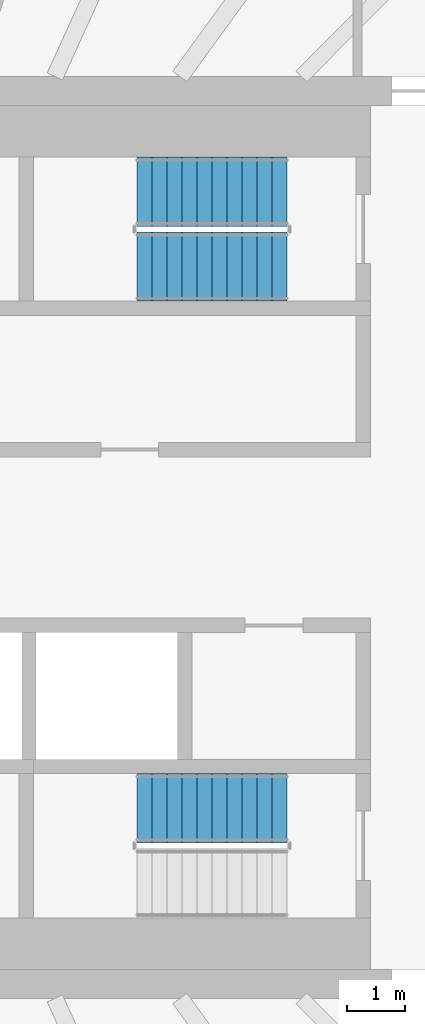
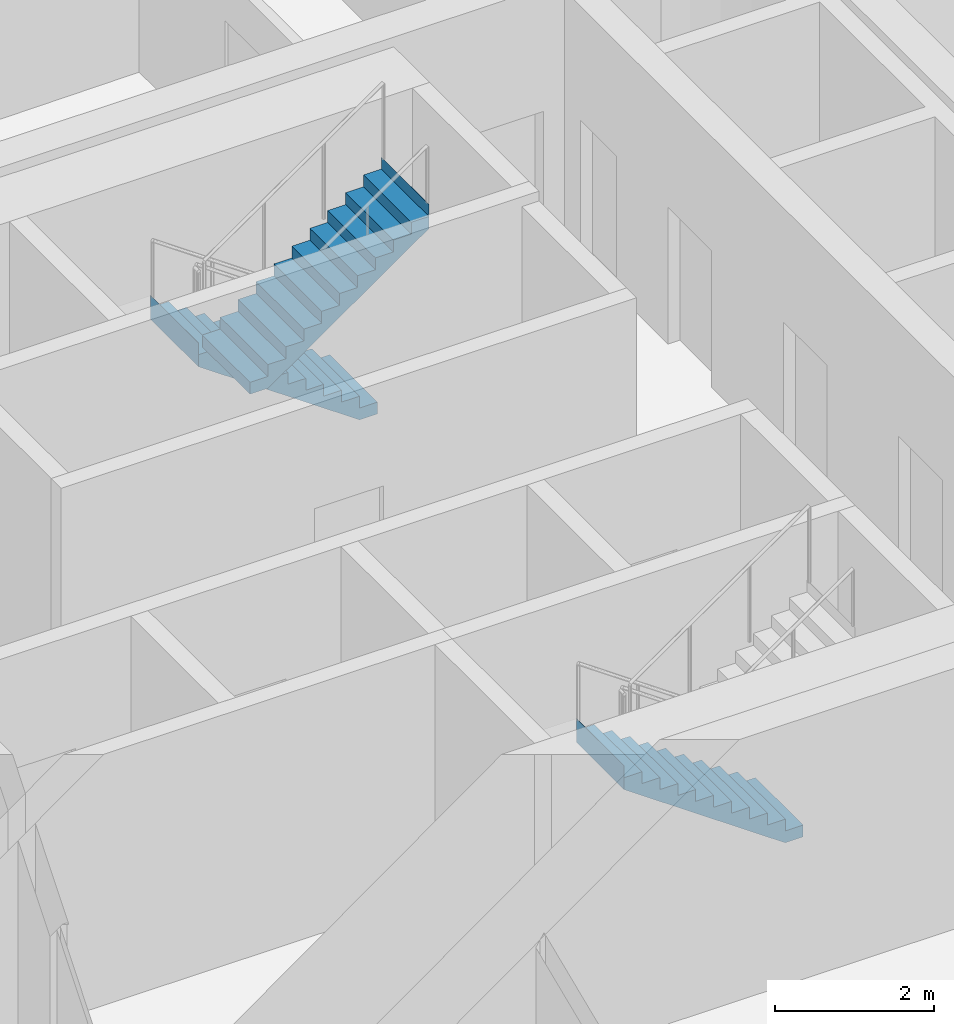
# One storey, part 16 of 22: 3 stair flights, 2 elements without a shape of their own.
"""IFC4 building model written with IfcOpenShell, lengths in metres."""

import ifcopenshell
import ifcopenshell.guid

model = None  # the IFC model being written
_history = None  # IfcOwnerHistory: only IFC2X3 demands one
_inside = {}  # id of a spatial element -> (the spatial element, [elements in it])
_under = {}  # id of a project, library or spatial element -> (it, [spatial elements below it])
_declared = {}  # id of a project -> (the project, [libraries it declares])
_typed = {}  # id of a type object -> (the type object, [elements of that type])
_made_of = {}  # id of a material, layer set ... -> (it, [elements and type objects made of it])


def new_model(schema):
    """Start an empty IFC model of exactly this schema.

    Asked for "IFC4X3", IfcOpenShell would pick the latest addendum, in which some entities
    have other attributes; the version numbers below select the first issue.
    IFC2X3 requires an IfcOwnerHistory on every rooted entity: one is made here for all.
    """
    global model, _history
    if schema == "IFC4X3":
        model = ifcopenshell.file(schema_version=(4, 3, 0, 0))
    else:
        model = ifcopenshell.file(schema=schema)
    _inside.clear()
    _under.clear()
    _declared.clear()
    _typed.clear()
    _made_of.clear()
    _history = None
    if model.schema == "IFC2X3":
        org = make("IfcOrganization", Name="unknown")
        user = make(
            "IfcPersonAndOrganization",
            ThePerson=make("IfcPerson", FamilyName="unknown"),
            TheOrganization=org,
        )
        app = make(
            "IfcApplication",
            ApplicationDeveloper=org,
            Version="unknown",
            ApplicationFullName="unknown",
            ApplicationIdentifier="unknown",
        )
        _history = make(
            "IfcOwnerHistory",
            OwningUser=user,
            OwningApplication=app,
            ChangeAction="ADDED",
            CreationDate=0,
        )
    return model


def make(cls, **values):
    """One entity of the class cls with the attributes given. An attribute that is None is left unset."""
    return model.create_entity(
        cls, **{name: value for name, value in values.items() if value is not None}
    )


def rooted(cls, **values):
    """An entity with a GlobalId (a new one), such as an element, a storey or a relation."""
    return make(cls, GlobalId=ifcopenshell.guid.new(), OwnerHistory=_history, **values)


def si_unit(unit_type, name, prefix=None):
    """IfcSIUnit, for example si_unit("LENGTHUNIT", "METRE", prefix="MILLI")."""
    return make("IfcSIUnit", UnitType=unit_type, Prefix=prefix, Name=name)


def assignment(units):
    """IfcUnitAssignment: the units of a project."""
    return None if units is None else make("IfcUnitAssignment", Units=units)


def point(xyz):
    """IfcCartesianPoint."""
    return None if xyz is None else make("IfcCartesianPoint", Coordinates=xyz)


def direction(xyz):
    """IfcDirection."""
    return None if xyz is None else make("IfcDirection", DirectionRatios=xyz)


def frame(location, z_axis=None, x_axis=None):
    """IfcAxis2Placement3D, a coordinate frame: its origin and axes. An axis left out is left unset."""
    return make(
        "IfcAxis2Placement3D",
        Location=point(location),
        Axis=direction(z_axis),
        RefDirection=direction(x_axis),
    )


def origin():
    """The frame at (0, 0, 0) with its axes left unset."""
    return frame((0.0, 0.0, 0.0))


def place(relative_to, where):
    """IfcLocalPlacement: puts the frame where relative to a parent placement (None: the world)."""
    return make(
        "IfcLocalPlacement", PlacementRelTo=relative_to, RelativePlacement=where
    )


def context(
    kind, dimensions, precision=None, world=None, true_north=None, identifier=None
):
    """IfcGeometricRepresentationContext, for example the 3D "Model" context."""
    return make(
        "IfcGeometricRepresentationContext",
        ContextIdentifier=identifier,
        ContextType=kind,
        CoordinateSpaceDimension=dimensions,
        Precision=precision,
        WorldCoordinateSystem=world,
        TrueNorth=true_north,
    )


def subcontext(parent, identifier, kind, view, scale=None):
    """IfcGeometricRepresentationSubContext, for example "Body" below "Model"."""
    return make(
        "IfcGeometricRepresentationSubContext",
        ContextIdentifier=identifier,
        ContextType=kind,
        ParentContext=parent,
        TargetScale=scale,
        TargetView=view,
    )


def project(units=None, contexts=None):
    """IfcProject with its units and contexts."""
    return rooted(
        "IfcProject",
        Name="project",
        RepresentationContexts=contexts,
        UnitsInContext=assignment(units),
    )


def spatial(cls, under=None, at=None, **own):
    """A site, building, storey or space (cls), placed at a placement, below another one or the project."""
    s = rooted(cls, ObjectPlacement=at, **own)
    if under is not None:
        _under.setdefault(under.id(), (under, []))[1].append(s)
    return s


def point_list(points):
    """IfcCartesianPointList2D or 3D."""
    cls = (
        "IfcCartesianPointList2D" if len(points[0]) == 2 else "IfcCartesianPointList3D"
    )
    return make(cls, CoordList=points)


def triangles(points, corners, closed=None, point_numbers=None):
    """IfcTriangulatedFaceSet: each triangle names its three corners, points numbered from 1."""
    return make(
        "IfcTriangulatedFaceSet",
        Coordinates=point_list(points),
        Closed=closed,
        CoordIndex=corners,
        PnIndex=point_numbers,
    )


def shape(context_of_items, identifier, shape_type, items):
    """IfcShapeRepresentation: the items that make up one representation, for example the "Body"."""
    return make(
        "IfcShapeRepresentation",
        ContextOfItems=context_of_items,
        RepresentationIdentifier=identifier,
        RepresentationType=shape_type,
        Items=items,
    )


def material(Name=None, Category=None):
    """IfcMaterial."""
    return make("IfcMaterial", Name=Name, Category=Category)


def made_of(thing, what):
    """Note that an element or type object is made of a material, layer set ...; save() writes the relation."""
    if what is not None:
        _made_of.setdefault(what.id(), (what, []))[1].append(thing)
    return thing


def type_object(cls, material=None, **own):
    """A type object (cls), such as IfcWallType, which elements share."""
    return made_of(rooted(cls, **own), material)


def element(
    cls,
    number,
    at=None,
    inside=None,
    cuts=None,
    type_object=None,
    material=None,
    context=None,
    identifier="Body",
    shape_type=None,
    held_by="IfcProductDefinitionShape",
    body=None,
    shapes=None,
    **own,
):
    """One element of the class cls, such as IfcWall. Its Tag is "e" and its number.

    at: its placement. inside: the storey or other place that contains it. cuts: it is an
    opening in that element (IfcRelVoidsElement). A single representation is given by context,
    identifier, shape_type and body (its items); several are given by shapes. held_by: the class
    of the entity that holds the representations. save() writes the other relations.
    """
    e = rooted(cls, Tag="e%d" % number, ObjectPlacement=at, **own)
    if body is not None:
        shapes = [shape(context, identifier, shape_type, body)]
    if shapes is not None:
        e.Representation = make(held_by, Representations=shapes)
    if inside is not None:
        _inside.setdefault(inside.id(), (inside, []))[1].append(e)
    if cuts is not None:
        rooted(
            "IfcRelVoidsElement", RelatingBuildingElement=cuts, RelatedOpeningElement=e
        )
    if type_object is not None:
        _typed.setdefault(type_object.id(), (type_object, []))[1].append(e)
    return made_of(e, material)


def aggregate(whole, parts):
    """IfcRelAggregates: a whole, such as a stair, and the parts it consists of."""
    return rooted("IfcRelAggregates", RelatingObject=whole, RelatedObjects=parts)


def save(model, path):
    """Write the relations noted so far, then the file.

    IfcRelAggregates (storeys below a building ...), IfcRelContainedInSpatialStructure (elements
    in a storey), IfcRelDefinesByType, IfcRelAssociatesMaterial and IfcRelDeclares: one each for
    every whole, place, type object, material and project.
    """
    for whole, parts in _under.values():
        aggregate(whole, parts)
    for where, things in _inside.values():
        rooted(
            "IfcRelContainedInSpatialStructure",
            RelatedElements=things,
            RelatingStructure=where,
        )
    for kind, things in _typed.values():
        rooted("IfcRelDefinesByType", RelatedObjects=things, RelatingType=kind)
    for what, things in _made_of.values():
        rooted("IfcRelAssociatesMaterial", RelatedObjects=things, RelatingMaterial=what)
    for by, libraries in _declared.values():
        rooted("IfcRelDeclares", RelatingContext=by, RelatedDefinitions=libraries)
    model.write(path)


model = new_model("IFC4")

# Units and contexts
model_context = context("Model", 3, precision=1e-05, world=origin(), true_north=direction((0.0, 1.0)))
body_context = subcontext(model_context, "Body", "Model", "MODEL_VIEW")
ifc_project = project(units=[si_unit("LENGTHUNIT", "METRE"), si_unit("AREAUNIT", "SQUARE_METRE"), si_unit("VOLUMEUNIT", "CUBIC_METRE"), si_unit("PLANEANGLEUNIT", "RADIAN"), si_unit("MASSUNIT", "GRAM", prefix="KILO")], contexts=[model_context])

# Site, building, storey
site_placement = place(None, origin())
site = spatial("IfcSite", under=ifc_project, at=site_placement, CompositionType="ELEMENT")
building_placement = place(site_placement, origin())
building = spatial("IfcBuilding", under=site, at=building_placement, Name="Sahrelin Media Tower", CompositionType="ELEMENT")
storey_placement = place(building_placement, frame((0.0, 0.0, 189.60009765625)))
storey = spatial("IfcBuildingStorey", under=building, at=storey_placement, Name="L40", CompositionType="ELEMENT", Elevation=189.60009765625)

# Stair, stair flights
ifc_material = material(Name="Concrete C40/50", Category="concrete")
stair_type = type_object("IfcStairType", Name="Exit stair 1200", PredefinedType="HALF_TURN_STAIR", material=ifc_material)
placement = place(storey_placement, origin())
stair_1 = element("IfcStair", 1, at=placement, inside=storey, type_object=stair_type, Name="L40 Exit stair ST3", PredefinedType="HALF_TURN_STAIR")
stair_flight_type = type_object("IfcStairFlightType", Name="Stair flight 1200", PredefinedType="STRAIGHT", material=ifc_material)
stair_flight_1_placement = place(storey_placement, frame((7.675048828125, 6.0, 0.0), z_axis=(0.0, 0.0, 1.0), x_axis=(-1.0, 0.0, 0.0)))
stair_flight_1 = element("IfcStairFlight", 2, at=stair_flight_1_placement, type_object=stair_flight_type, Name="ST3 flight 1", NumberOfRisers=11, NumberOfTreads=10, PredefinedType="STRAIGHT", RiserHeight=0.181818182, TreadLength=0.26, context=body_context, shape_type="Tessellation", body=[
    triangles([(0.261474609375, 0.60009765625, 0.0), (0.261474609375, 0.300048828125, 0.0), (0.261474609375, 0.0, 0.0), (0.261474609375, -0.300048828125, 0.0), (0.261474609375, -0.60009765625, 0.0), (2.60009765625, 0.60009765625, 1.63525390625), (2.60009765625, 0.300048828125, 1.63525390625), (2.60009765625, 0.0, 1.63525390625), (2.60009765625, -0.300048828125, 1.63525390625), (2.60009765625, -0.60009765625, 1.63525390625), (2.60009765625, 0.60009765625, 2.0), (2.60009765625, 0.300048828125, 2.0), (2.60009765625, 0.0, 2.0), (2.60009765625, -0.300048828125, 2.0), (2.60009765625, -0.60009765625, 2.0), (2.597900390625, 0.60009765625, 2.0), (2.597900390625, 0.300048828125, 2.0), (2.597900390625, 0.0, 2.0), (2.597900390625, -0.300048828125, 2.0), (2.597900390625, -0.60009765625, 2.0), (2.597900390625, 0.60009765625, 1.818115234375), (2.597900390625, 0.300048828125, 1.818115234375), (2.597900390625, 0.0, 1.818115234375), (2.597900390625, -0.300048828125, 1.818115234375), (2.597900390625, -0.60009765625, 1.818115234375), (2.340087890625, 0.60009765625, 1.818115234375), (2.340087890625, 0.300048828125, 1.818115234375), (2.340087890625, 0.0, 1.818115234375), (2.340087890625, -0.300048828125, 1.818115234375), (2.340087890625, -0.60009765625, 1.818115234375), (2.340087890625, 0.60009765625, 1.636474609375), (2.340087890625, 0.300048828125, 1.636474609375), (2.340087890625, 0.0, 1.636474609375), (2.340087890625, -0.300048828125, 1.636474609375), (2.340087890625, -0.60009765625, 1.636474609375), (2.080078125, 0.60009765625, 1.636474609375), (2.080078125, 0.300048828125, 1.636474609375), (2.080078125, 0.0, 1.636474609375), (2.080078125, -0.300048828125, 1.636474609375), (2.080078125, -0.60009765625, 1.636474609375), (2.080078125, 0.60009765625, 1.45458984375), (2.080078125, 0.300048828125, 1.45458984375), (2.080078125, 0.0, 1.45458984375), (2.080078125, -0.300048828125, 1.45458984375), (2.080078125, -0.60009765625, 1.45458984375), (1.820068359375, 0.60009765625, 1.45458984375), (1.820068359375, 0.300048828125, 1.45458984375), (1.820068359375, 0.0, 1.45458984375), (1.820068359375, -0.300048828125, 1.45458984375), (1.820068359375, -0.60009765625, 1.45458984375), (1.820068359375, 0.60009765625, 1.272705078125), (1.820068359375, 0.300048828125, 1.272705078125), (1.820068359375, 0.0, 1.272705078125), (1.820068359375, -0.300048828125, 1.272705078125), (1.820068359375, -0.60009765625, 1.272705078125), (1.56005859375, 0.60009765625, 1.272705078125), (1.56005859375, 0.300048828125, 1.272705078125), (1.56005859375, 0.0, 1.272705078125), (1.56005859375, -0.300048828125, 1.272705078125), (1.56005859375, -0.60009765625, 1.272705078125), (1.56005859375, 0.60009765625, 1.0908203125), (1.56005859375, 0.300048828125, 1.0908203125), (1.56005859375, 0.0, 1.0908203125), (1.56005859375, -0.300048828125, 1.0908203125), (1.56005859375, -0.60009765625, 1.0908203125), (1.300048828125, 0.60009765625, 1.0908203125), (1.300048828125, 0.300048828125, 1.0908203125), (1.300048828125, 0.0, 1.0908203125), (1.300048828125, -0.300048828125, 1.0908203125), (1.300048828125, -0.60009765625, 1.0908203125), (1.300048828125, 0.60009765625, 0.9091796875), (1.300048828125, 0.300048828125, 0.9091796875), (1.300048828125, 0.0, 0.9091796875), (1.300048828125, -0.300048828125, 0.9091796875), (1.300048828125, -0.60009765625, 0.9091796875), (1.0400390625, 0.60009765625, 0.9091796875), (1.0400390625, 0.300048828125, 0.9091796875), (1.0400390625, 0.0, 0.9091796875), (1.0400390625, -0.300048828125, 0.9091796875), (1.0400390625, -0.60009765625, 0.9091796875), (1.0400390625, 0.60009765625, 0.727294921875), (1.0400390625, 0.300048828125, 0.727294921875), (1.0400390625, 0.0, 0.727294921875), (1.0400390625, -0.300048828125, 0.727294921875), (1.0400390625, -0.60009765625, 0.727294921875), (0.780029296875, 0.60009765625, 0.727294921875), (0.780029296875, 0.300048828125, 0.727294921875), (0.780029296875, 0.0, 0.727294921875), (0.780029296875, -0.300048828125, 0.727294921875), (0.780029296875, -0.60009765625, 0.727294921875), (0.780029296875, 0.60009765625, 0.54541015625), (0.780029296875, 0.300048828125, 0.54541015625), (0.780029296875, 0.0, 0.54541015625), (0.780029296875, -0.300048828125, 0.54541015625), (0.780029296875, -0.60009765625, 0.54541015625), (0.52001953125, 0.60009765625, 0.54541015625), (0.52001953125, 0.300048828125, 0.54541015625), (0.52001953125, 0.0, 0.54541015625), (0.52001953125, -0.300048828125, 0.54541015625), (0.52001953125, -0.60009765625, 0.54541015625), (0.52001953125, 0.60009765625, 0.363525390625), (0.52001953125, 0.300048828125, 0.363525390625), (0.52001953125, 0.0, 0.363525390625), (0.52001953125, -0.300048828125, 0.363525390625), (0.52001953125, -0.60009765625, 0.363525390625), (0.260009765625, 0.60009765625, 0.363525390625), (0.260009765625, 0.300048828125, 0.363525390625), (0.260009765625, 0.0, 0.363525390625), (0.260009765625, -0.300048828125, 0.363525390625), (0.260009765625, -0.60009765625, 0.363525390625), (0.260009765625, 0.60009765625, 0.181884765625), (0.260009765625, 0.300048828125, 0.181884765625), (0.260009765625, 0.0, 0.181884765625), (0.260009765625, -0.300048828125, 0.181884765625), (0.260009765625, -0.60009765625, 0.181884765625), (0.0, 0.60009765625, 0.181884765625), (0.0, 0.300048828125, 0.181884765625), (0.0, 0.0, 0.181884765625), (0.0, -0.300048828125, 0.181884765625), (0.0, -0.60009765625, 0.181884765625), (0.0, 0.60009765625, 0.0), (0.0, 0.300048828125, 0.0), (0.0, 0.0, 0.0), (0.0, -0.300048828125, 0.0), (0.0, -0.60009765625, 0.0)], [[1, 6, 7], [1, 7, 2], [2, 7, 8], [2, 8, 3], [3, 8, 9], [3, 9, 4], [4, 9, 10], [4, 10, 5], [6, 11, 12], [6, 12, 7], [7, 12, 13], [7, 13, 8], [8, 13, 14], [8, 14, 9], [9, 14, 15], [9, 15, 10], [11, 16, 17], [11, 17, 12], [12, 17, 18], [12, 18, 13], [13, 18, 19], [13, 19, 14], [14, 19, 20], [14, 20, 15], [16, 21, 22], [16, 22, 17], [17, 22, 23], [17, 23, 18], [18, 23, 24], [18, 24, 19], [19, 24, 25], [19, 25, 20], [21, 26, 27], [21, 27, 22], [22, 27, 28], [22, 28, 23], [23, 28, 29], [23, 29, 24], [24, 29, 30], [24, 30, 25], [26, 31, 32], [26, 32, 27], [27, 32, 33], [27, 33, 28], [28, 33, 34], [28, 34, 29], [29, 34, 35], [29, 35, 30], [31, 36, 37], [31, 37, 32], [32, 37, 38], [32, 38, 33], [33, 38, 39], [33, 39, 34], [34, 39, 40], [34, 40, 35], [36, 41, 42], [36, 42, 37], [37, 42, 43], [37, 43, 38], [38, 43, 44], [38, 44, 39], [39, 44, 45], [39, 45, 40], [41, 46, 47], [41, 47, 42], [42, 47, 48], [42, 48, 43], [43, 48, 49], [43, 49, 44], [44, 49, 50], [44, 50, 45], [46, 51, 52], [46, 52, 47], [47, 52, 53], [47, 53, 48], [48, 53, 54], [48, 54, 49], [49, 54, 55], [49, 55, 50], [51, 56, 57], [51, 57, 52], [52, 57, 58], [52, 58, 53], [53, 58, 59], [53, 59, 54], [54, 59, 60], [54, 60, 55], [56, 61, 62], [56, 62, 57], [57, 62, 63], [57, 63, 58], [58, 63, 64], [58, 64, 59], [59, 64, 65], [59, 65, 60], [61, 66, 67], [61, 67, 62], [62, 67, 68], [62, 68, 63], [63, 68, 69], [63, 69, 64], [64, 69, 70], [64, 70, 65], [66, 71, 72], [66, 72, 67], [67, 72, 73], [67, 73, 68], [68, 73, 74], [68, 74, 69], [69, 74, 75], [69, 75, 70], [71, 76, 77], [71, 77, 72], [72, 77, 78], [72, 78, 73], [73, 78, 79], [73, 79, 74], [74, 79, 80], [74, 80, 75], [76, 81, 82], [76, 82, 77], [77, 82, 83], [77, 83, 78], [78, 83, 84], [78, 84, 79], [79, 84, 85], [79, 85, 80], [81, 86, 87], [81, 87, 82], [82, 87, 88], [82, 88, 83], [83, 88, 89], [83, 89, 84], [84, 89, 90], [84, 90, 85], [86, 91, 92], [86, 92, 87], [87, 92, 93], [87, 93, 88], [88, 93, 94], [88, 94, 89], [89, 94, 95], [89, 95, 90], [91, 96, 97], [91, 97, 92], [92, 97, 98], [92, 98, 93], [93, 98, 99], [93, 99, 94], [94, 99, 100], [94, 100, 95], [96, 101, 102], [96, 102, 97], [97, 102, 103], [97, 103, 98], [98, 103, 104], [98, 104, 99], [99, 104, 105], [99, 105, 100], [101, 106, 107], [101, 107, 102], [102, 107, 108], [102, 108, 103], [103, 108, 109], [103, 109, 104], [104, 109, 110], [104, 110, 105], [106, 111, 112], [106, 112, 107], [107, 112, 113], [107, 113, 108], [108, 113, 114], [108, 114, 109], [109, 114, 115], [109, 115, 110], [111, 116, 117], [111, 117, 112], [112, 117, 118], [112, 118, 113], [113, 118, 119], [113, 119, 114], [114, 119, 120], [114, 120, 115], [116, 121, 122], [116, 122, 117], [117, 122, 123], [117, 123, 118], [118, 123, 124], [118, 124, 119], [119, 124, 125], [119, 125, 120], [121, 1, 2], [121, 2, 122], [122, 2, 3], [122, 3, 123], [123, 3, 4], [123, 4, 124], [124, 4, 5], [124, 5, 125], [115, 120, 125], [111, 121, 116], [115, 105, 110], [111, 106, 101], [105, 95, 100], [101, 96, 91], [95, 85, 90], [91, 86, 81], [85, 75, 80], [81, 76, 71], [75, 65, 70], [71, 66, 61], [65, 55, 60], [61, 56, 51], [55, 45, 50], [51, 46, 41], [45, 35, 40], [41, 36, 31], [35, 25, 30], [31, 26, 21], [25, 15, 20], [21, 16, 11], [125, 5, 115], [121, 111, 1], [25, 10, 15], [21, 11, 6], [105, 115, 5], [101, 1, 111], [35, 10, 25], [31, 21, 6], [95, 105, 5], [91, 1, 101], [45, 10, 35], [41, 31, 6], [85, 95, 5], [81, 1, 91], [55, 10, 45], [51, 41, 6], [75, 85, 5], [71, 1, 81], [65, 10, 55], [61, 51, 6], [5, 10, 75], [1, 71, 6], [75, 10, 65], [71, 61, 6]], closed=True),
])
stair_flight_2_placement = place(storey_placement, frame((5.074951171875, 4.699951171875, 2.0), z_axis=(0.0, 0.0, 1.0), x_axis=(1.0, 0.0, 0.0)))
stair_flight_2 = element("IfcStairFlight", 3, at=stair_flight_2_placement, type_object=stair_flight_type, Name="ST3 flight 2", NumberOfRisers=11, NumberOfTreads=10, PredefinedType="STRAIGHT", RiserHeight=0.181818182, TreadLength=0.26, context=body_context, shape_type="Tessellation", body=[
    triangles([(0.261474609375, 0.60009765625, 0.0), (0.261474609375, 0.300048828125, 0.0), (0.261474609375, 0.0, 0.0), (0.261474609375, -0.300048828125, 0.0), (0.261474609375, -0.60009765625, 0.0), (2.60009765625, 0.60009765625, 1.63525390625), (2.60009765625, 0.300048828125, 1.63525390625), (2.60009765625, 0.0, 1.63525390625), (2.60009765625, -0.300048828125, 1.63525390625), (2.60009765625, -0.60009765625, 1.63525390625), (2.60009765625, 0.60009765625, 2.0), (2.60009765625, 0.300048828125, 2.0), (2.60009765625, 0.0, 2.0), (2.60009765625, -0.300048828125, 2.0), (2.60009765625, -0.60009765625, 2.0), (2.597900390625, 0.60009765625, 2.0), (2.597900390625, 0.300048828125, 2.0), (2.597900390625, 0.0, 2.0), (2.597900390625, -0.300048828125, 2.0), (2.597900390625, -0.60009765625, 2.0), (2.597900390625, 0.60009765625, 1.818115234375), (2.597900390625, 0.300048828125, 1.818115234375), (2.597900390625, 0.0, 1.818115234375), (2.597900390625, -0.300048828125, 1.818115234375), (2.597900390625, -0.60009765625, 1.818115234375), (2.340087890625, 0.60009765625, 1.818115234375), (2.340087890625, 0.300048828125, 1.818115234375), (2.340087890625, 0.0, 1.818115234375), (2.340087890625, -0.300048828125, 1.818115234375), (2.340087890625, -0.60009765625, 1.818115234375), (2.340087890625, 0.60009765625, 1.636474609375), (2.340087890625, 0.300048828125, 1.636474609375), (2.340087890625, 0.0, 1.636474609375), (2.340087890625, -0.300048828125, 1.636474609375), (2.340087890625, -0.60009765625, 1.636474609375), (2.080078125, 0.60009765625, 1.636474609375), (2.080078125, 0.300048828125, 1.636474609375), (2.080078125, 0.0, 1.636474609375), (2.080078125, -0.300048828125, 1.636474609375), (2.080078125, -0.60009765625, 1.636474609375), (2.080078125, 0.60009765625, 1.45458984375), (2.080078125, 0.300048828125, 1.45458984375), (2.080078125, 0.0, 1.45458984375), (2.080078125, -0.300048828125, 1.45458984375), (2.080078125, -0.60009765625, 1.45458984375), (1.820068359375, 0.60009765625, 1.45458984375), (1.820068359375, 0.300048828125, 1.45458984375), (1.820068359375, 0.0, 1.45458984375), (1.820068359375, -0.300048828125, 1.45458984375), (1.820068359375, -0.60009765625, 1.45458984375), (1.820068359375, 0.60009765625, 1.272705078125), (1.820068359375, 0.300048828125, 1.272705078125), (1.820068359375, 0.0, 1.272705078125), (1.820068359375, -0.300048828125, 1.272705078125), (1.820068359375, -0.60009765625, 1.272705078125), (1.56005859375, 0.60009765625, 1.272705078125), (1.56005859375, 0.300048828125, 1.272705078125), (1.56005859375, 0.0, 1.272705078125), (1.56005859375, -0.300048828125, 1.272705078125), (1.56005859375, -0.60009765625, 1.272705078125), (1.56005859375, 0.60009765625, 1.0908203125), (1.56005859375, 0.300048828125, 1.0908203125), (1.56005859375, 0.0, 1.0908203125), (1.56005859375, -0.300048828125, 1.0908203125), (1.56005859375, -0.60009765625, 1.0908203125), (1.300048828125, 0.60009765625, 1.0908203125), (1.300048828125, 0.300048828125, 1.0908203125), (1.300048828125, 0.0, 1.0908203125), (1.300048828125, -0.300048828125, 1.0908203125), (1.300048828125, -0.60009765625, 1.0908203125), (1.300048828125, 0.60009765625, 0.9091796875), (1.300048828125, 0.300048828125, 0.9091796875), (1.300048828125, 0.0, 0.9091796875), (1.300048828125, -0.300048828125, 0.9091796875), (1.300048828125, -0.60009765625, 0.9091796875), (1.0400390625, 0.60009765625, 0.9091796875), (1.0400390625, 0.300048828125, 0.9091796875), (1.0400390625, 0.0, 0.9091796875), (1.0400390625, -0.300048828125, 0.9091796875), (1.0400390625, -0.60009765625, 0.9091796875), (1.0400390625, 0.60009765625, 0.727294921875), (1.0400390625, 0.300048828125, 0.727294921875), (1.0400390625, 0.0, 0.727294921875), (1.0400390625, -0.300048828125, 0.727294921875), (1.0400390625, -0.60009765625, 0.727294921875), (0.780029296875, 0.60009765625, 0.727294921875), (0.780029296875, 0.300048828125, 0.727294921875), (0.780029296875, 0.0, 0.727294921875), (0.780029296875, -0.300048828125, 0.727294921875), (0.780029296875, -0.60009765625, 0.727294921875), (0.780029296875, 0.60009765625, 0.54541015625), (0.780029296875, 0.300048828125, 0.54541015625), (0.780029296875, 0.0, 0.54541015625), (0.780029296875, -0.300048828125, 0.54541015625), (0.780029296875, -0.60009765625, 0.54541015625), (0.52001953125, 0.60009765625, 0.54541015625), (0.52001953125, 0.300048828125, 0.54541015625), (0.52001953125, 0.0, 0.54541015625), (0.52001953125, -0.300048828125, 0.54541015625), (0.52001953125, -0.60009765625, 0.54541015625), (0.52001953125, 0.60009765625, 0.363525390625), (0.52001953125, 0.300048828125, 0.363525390625), (0.52001953125, 0.0, 0.363525390625), (0.52001953125, -0.300048828125, 0.363525390625), (0.52001953125, -0.60009765625, 0.363525390625), (0.260009765625, 0.60009765625, 0.363525390625), (0.260009765625, 0.300048828125, 0.363525390625), (0.260009765625, 0.0, 0.363525390625), (0.260009765625, -0.300048828125, 0.363525390625), (0.260009765625, -0.60009765625, 0.363525390625), (0.260009765625, 0.60009765625, 0.181884765625), (0.260009765625, 0.300048828125, 0.181884765625), (0.260009765625, 0.0, 0.181884765625), (0.260009765625, -0.300048828125, 0.181884765625), (0.260009765625, -0.60009765625, 0.181884765625), (0.0, 0.60009765625, 0.181884765625), (0.0, 0.300048828125, 0.181884765625), (0.0, 0.0, 0.181884765625), (0.0, -0.300048828125, 0.181884765625), (0.0, -0.60009765625, 0.181884765625), (0.0, 0.60009765625, 0.0), (0.0, 0.300048828125, 0.0), (0.0, 0.0, 0.0), (0.0, -0.300048828125, 0.0), (0.0, -0.60009765625, 0.0)], [[1, 6, 7], [1, 7, 2], [2, 7, 8], [2, 8, 3], [3, 8, 9], [3, 9, 4], [4, 9, 10], [4, 10, 5], [6, 11, 12], [6, 12, 7], [7, 12, 13], [7, 13, 8], [8, 13, 14], [8, 14, 9], [9, 14, 15], [9, 15, 10], [11, 16, 17], [11, 17, 12], [12, 17, 18], [12, 18, 13], [13, 18, 19], [13, 19, 14], [14, 19, 20], [14, 20, 15], [16, 21, 22], [16, 22, 17], [17, 22, 23], [17, 23, 18], [18, 23, 24], [18, 24, 19], [19, 24, 25], [19, 25, 20], [21, 26, 27], [21, 27, 22], [22, 27, 28], [22, 28, 23], [23, 28, 29], [23, 29, 24], [24, 29, 30], [24, 30, 25], [26, 31, 32], [26, 32, 27], [27, 32, 33], [27, 33, 28], [28, 33, 34], [28, 34, 29], [29, 34, 35], [29, 35, 30], [31, 36, 37], [31, 37, 32], [32, 37, 38], [32, 38, 33], [33, 38, 39], [33, 39, 34], [34, 39, 40], [34, 40, 35], [36, 41, 42], [36, 42, 37], [37, 42, 43], [37, 43, 38], [38, 43, 44], [38, 44, 39], [39, 44, 45], [39, 45, 40], [41, 46, 47], [41, 47, 42], [42, 47, 48], [42, 48, 43], [43, 48, 49], [43, 49, 44], [44, 49, 50], [44, 50, 45], [46, 51, 52], [46, 52, 47], [47, 52, 53], [47, 53, 48], [48, 53, 54], [48, 54, 49], [49, 54, 55], [49, 55, 50], [51, 56, 57], [51, 57, 52], [52, 57, 58], [52, 58, 53], [53, 58, 59], [53, 59, 54], [54, 59, 60], [54, 60, 55], [56, 61, 62], [56, 62, 57], [57, 62, 63], [57, 63, 58], [58, 63, 64], [58, 64, 59], [59, 64, 65], [59, 65, 60], [61, 66, 67], [61, 67, 62], [62, 67, 68], [62, 68, 63], [63, 68, 69], [63, 69, 64], [64, 69, 70], [64, 70, 65], [66, 71, 72], [66, 72, 67], [67, 72, 73], [67, 73, 68], [68, 73, 74], [68, 74, 69], [69, 74, 75], [69, 75, 70], [71, 76, 77], [71, 77, 72], [72, 77, 78], [72, 78, 73], [73, 78, 79], [73, 79, 74], [74, 79, 80], [74, 80, 75], [76, 81, 82], [76, 82, 77], [77, 82, 83], [77, 83, 78], [78, 83, 84], [78, 84, 79], [79, 84, 85], [79, 85, 80], [81, 86, 87], [81, 87, 82], [82, 87, 88], [82, 88, 83], [83, 88, 89], [83, 89, 84], [84, 89, 90], [84, 90, 85], [86, 91, 92], [86, 92, 87], [87, 92, 93], [87, 93, 88], [88, 93, 94], [88, 94, 89], [89, 94, 95], [89, 95, 90], [91, 96, 97], [91, 97, 92], [92, 97, 98], [92, 98, 93], [93, 98, 99], [93, 99, 94], [94, 99, 100], [94, 100, 95], [96, 101, 102], [96, 102, 97], [97, 102, 103], [97, 103, 98], [98, 103, 104], [98, 104, 99], [99, 104, 105], [99, 105, 100], [101, 106, 107], [101, 107, 102], [102, 107, 108], [102, 108, 103], [103, 108, 109], [103, 109, 104], [104, 109, 110], [104, 110, 105], [106, 111, 112], [106, 112, 107], [107, 112, 113], [107, 113, 108], [108, 113, 114], [108, 114, 109], [109, 114, 115], [109, 115, 110], [111, 116, 117], [111, 117, 112], [112, 117, 118], [112, 118, 113], [113, 118, 119], [113, 119, 114], [114, 119, 120], [114, 120, 115], [116, 121, 122], [116, 122, 117], [117, 122, 123], [117, 123, 118], [118, 123, 124], [118, 124, 119], [119, 124, 125], [119, 125, 120], [121, 1, 2], [121, 2, 122], [122, 2, 3], [122, 3, 123], [123, 3, 4], [123, 4, 124], [124, 4, 5], [124, 5, 125], [115, 120, 125], [111, 121, 116], [115, 105, 110], [111, 106, 101], [105, 95, 100], [101, 96, 91], [95, 85, 90], [91, 86, 81], [85, 75, 80], [81, 76, 71], [75, 65, 70], [71, 66, 61], [65, 55, 60], [61, 56, 51], [55, 45, 50], [51, 46, 41], [45, 35, 40], [41, 36, 31], [35, 25, 30], [31, 26, 21], [25, 15, 20], [21, 16, 11], [125, 5, 115], [121, 111, 1], [25, 10, 15], [21, 11, 6], [105, 115, 5], [101, 1, 111], [35, 10, 25], [31, 21, 6], [95, 105, 5], [91, 1, 101], [45, 10, 35], [41, 31, 6], [85, 95, 5], [81, 1, 91], [55, 10, 45], [51, 41, 6], [75, 85, 5], [71, 1, 81], [65, 10, 55], [61, 51, 6], [5, 10, 75], [1, 71, 6], [75, 10, 65], [71, 61, 6]], closed=True),
])
aggregate(stair_1, [stair_flight_1, stair_flight_2])

# Stair, stair flight
stair_2 = element("IfcStair", 4, at=placement, inside=storey, type_object=stair_type, Name="L40 Exit stair ST2", PredefinedType="HALF_TURN_STAIR")
stair_flight_3_placement = place(storey_placement, frame((7.675048828125, -4.699951171875, 0.0), z_axis=(0.0, 0.0, 1.0), x_axis=(-1.0, 0.0, 0.0)))
stair_flight_3 = element("IfcStairFlight", 5, at=stair_flight_3_placement, type_object=stair_flight_type, Name="ST2 flight 1", NumberOfRisers=11, NumberOfTreads=10, PredefinedType="STRAIGHT", RiserHeight=0.181818182, TreadLength=0.26, context=body_context, shape_type="Tessellation", body=[
    triangles([(0.261474609375, 0.60009765625, 0.0), (0.261474609375, 0.300048828125, 0.0), (0.261474609375, 0.0, 0.0), (0.261474609375, -0.300048828125, 0.0), (0.261474609375, -0.60009765625, 0.0), (2.60009765625, 0.60009765625, 1.63525390625), (2.60009765625, 0.300048828125, 1.63525390625), (2.60009765625, 0.0, 1.63525390625), (2.60009765625, -0.300048828125, 1.63525390625), (2.60009765625, -0.60009765625, 1.63525390625), (2.60009765625, 0.60009765625, 2.0), (2.60009765625, 0.300048828125, 2.0), (2.60009765625, 0.0, 2.0), (2.60009765625, -0.300048828125, 2.0), (2.60009765625, -0.60009765625, 2.0), (2.597900390625, 0.60009765625, 2.0), (2.597900390625, 0.300048828125, 2.0), (2.597900390625, 0.0, 2.0), (2.597900390625, -0.300048828125, 2.0), (2.597900390625, -0.60009765625, 2.0), (2.597900390625, 0.60009765625, 1.818115234375), (2.597900390625, 0.300048828125, 1.818115234375), (2.597900390625, 0.0, 1.818115234375), (2.597900390625, -0.300048828125, 1.818115234375), (2.597900390625, -0.60009765625, 1.818115234375), (2.340087890625, 0.60009765625, 1.818115234375), (2.340087890625, 0.300048828125, 1.818115234375), (2.340087890625, 0.0, 1.818115234375), (2.340087890625, -0.300048828125, 1.818115234375), (2.340087890625, -0.60009765625, 1.818115234375), (2.340087890625, 0.60009765625, 1.636474609375), (2.340087890625, 0.300048828125, 1.636474609375), (2.340087890625, 0.0, 1.636474609375), (2.340087890625, -0.300048828125, 1.636474609375), (2.340087890625, -0.60009765625, 1.636474609375), (2.080078125, 0.60009765625, 1.636474609375), (2.080078125, 0.300048828125, 1.636474609375), (2.080078125, 0.0, 1.636474609375), (2.080078125, -0.300048828125, 1.636474609375), (2.080078125, -0.60009765625, 1.636474609375), (2.080078125, 0.60009765625, 1.45458984375), (2.080078125, 0.300048828125, 1.45458984375), (2.080078125, 0.0, 1.45458984375), (2.080078125, -0.300048828125, 1.45458984375), (2.080078125, -0.60009765625, 1.45458984375), (1.820068359375, 0.60009765625, 1.45458984375), (1.820068359375, 0.300048828125, 1.45458984375), (1.820068359375, 0.0, 1.45458984375), (1.820068359375, -0.300048828125, 1.45458984375), (1.820068359375, -0.60009765625, 1.45458984375), (1.820068359375, 0.60009765625, 1.272705078125), (1.820068359375, 0.300048828125, 1.272705078125), (1.820068359375, 0.0, 1.272705078125), (1.820068359375, -0.300048828125, 1.272705078125), (1.820068359375, -0.60009765625, 1.272705078125), (1.56005859375, 0.60009765625, 1.272705078125), (1.56005859375, 0.300048828125, 1.272705078125), (1.56005859375, 0.0, 1.272705078125), (1.56005859375, -0.300048828125, 1.272705078125), (1.56005859375, -0.60009765625, 1.272705078125), (1.56005859375, 0.60009765625, 1.0908203125), (1.56005859375, 0.300048828125, 1.0908203125), (1.56005859375, 0.0, 1.0908203125), (1.56005859375, -0.300048828125, 1.0908203125), (1.56005859375, -0.60009765625, 1.0908203125), (1.300048828125, 0.60009765625, 1.0908203125), (1.300048828125, 0.300048828125, 1.0908203125), (1.300048828125, 0.0, 1.0908203125), (1.300048828125, -0.300048828125, 1.0908203125), (1.300048828125, -0.60009765625, 1.0908203125), (1.300048828125, 0.60009765625, 0.9091796875), (1.300048828125, 0.300048828125, 0.9091796875), (1.300048828125, 0.0, 0.9091796875), (1.300048828125, -0.300048828125, 0.9091796875), (1.300048828125, -0.60009765625, 0.9091796875), (1.0400390625, 0.60009765625, 0.9091796875), (1.0400390625, 0.300048828125, 0.9091796875), (1.0400390625, 0.0, 0.9091796875), (1.0400390625, -0.300048828125, 0.9091796875), (1.0400390625, -0.60009765625, 0.9091796875), (1.0400390625, 0.60009765625, 0.727294921875), (1.0400390625, 0.300048828125, 0.727294921875), (1.0400390625, 0.0, 0.727294921875), (1.0400390625, -0.300048828125, 0.727294921875), (1.0400390625, -0.60009765625, 0.727294921875), (0.780029296875, 0.60009765625, 0.727294921875), (0.780029296875, 0.300048828125, 0.727294921875), (0.780029296875, 0.0, 0.727294921875), (0.780029296875, -0.300048828125, 0.727294921875), (0.780029296875, -0.60009765625, 0.727294921875), (0.780029296875, 0.60009765625, 0.54541015625), (0.780029296875, 0.300048828125, 0.54541015625), (0.780029296875, 0.0, 0.54541015625), (0.780029296875, -0.300048828125, 0.54541015625), (0.780029296875, -0.60009765625, 0.54541015625), (0.52001953125, 0.60009765625, 0.54541015625), (0.52001953125, 0.300048828125, 0.54541015625), (0.52001953125, 0.0, 0.54541015625), (0.52001953125, -0.300048828125, 0.54541015625), (0.52001953125, -0.60009765625, 0.54541015625), (0.52001953125, 0.60009765625, 0.363525390625), (0.52001953125, 0.300048828125, 0.363525390625), (0.52001953125, 0.0, 0.363525390625), (0.52001953125, -0.300048828125, 0.363525390625), (0.52001953125, -0.60009765625, 0.363525390625), (0.260009765625, 0.60009765625, 0.363525390625), (0.260009765625, 0.300048828125, 0.363525390625), (0.260009765625, 0.0, 0.363525390625), (0.260009765625, -0.300048828125, 0.363525390625), (0.260009765625, -0.60009765625, 0.363525390625), (0.260009765625, 0.60009765625, 0.181884765625), (0.260009765625, 0.300048828125, 0.181884765625), (0.260009765625, 0.0, 0.181884765625), (0.260009765625, -0.300048828125, 0.181884765625), (0.260009765625, -0.60009765625, 0.181884765625), (0.0, 0.60009765625, 0.181884765625), (0.0, 0.300048828125, 0.181884765625), (0.0, 0.0, 0.181884765625), (0.0, -0.300048828125, 0.181884765625), (0.0, -0.60009765625, 0.181884765625), (0.0, 0.60009765625, 0.0), (0.0, 0.300048828125, 0.0), (0.0, 0.0, 0.0), (0.0, -0.300048828125, 0.0), (0.0, -0.60009765625, 0.0)], [[1, 6, 7], [1, 7, 2], [2, 7, 8], [2, 8, 3], [3, 8, 9], [3, 9, 4], [4, 9, 10], [4, 10, 5], [6, 11, 12], [6, 12, 7], [7, 12, 13], [7, 13, 8], [8, 13, 14], [8, 14, 9], [9, 14, 15], [9, 15, 10], [11, 16, 17], [11, 17, 12], [12, 17, 18], [12, 18, 13], [13, 18, 19], [13, 19, 14], [14, 19, 20], [14, 20, 15], [16, 21, 22], [16, 22, 17], [17, 22, 23], [17, 23, 18], [18, 23, 24], [18, 24, 19], [19, 24, 25], [19, 25, 20], [21, 26, 27], [21, 27, 22], [22, 27, 28], [22, 28, 23], [23, 28, 29], [23, 29, 24], [24, 29, 30], [24, 30, 25], [26, 31, 32], [26, 32, 27], [27, 32, 33], [27, 33, 28], [28, 33, 34], [28, 34, 29], [29, 34, 35], [29, 35, 30], [31, 36, 37], [31, 37, 32], [32, 37, 38], [32, 38, 33], [33, 38, 39], [33, 39, 34], [34, 39, 40], [34, 40, 35], [36, 41, 42], [36, 42, 37], [37, 42, 43], [37, 43, 38], [38, 43, 44], [38, 44, 39], [39, 44, 45], [39, 45, 40], [41, 46, 47], [41, 47, 42], [42, 47, 48], [42, 48, 43], [43, 48, 49], [43, 49, 44], [44, 49, 50], [44, 50, 45], [46, 51, 52], [46, 52, 47], [47, 52, 53], [47, 53, 48], [48, 53, 54], [48, 54, 49], [49, 54, 55], [49, 55, 50], [51, 56, 57], [51, 57, 52], [52, 57, 58], [52, 58, 53], [53, 58, 59], [53, 59, 54], [54, 59, 60], [54, 60, 55], [56, 61, 62], [56, 62, 57], [57, 62, 63], [57, 63, 58], [58, 63, 64], [58, 64, 59], [59, 64, 65], [59, 65, 60], [61, 66, 67], [61, 67, 62], [62, 67, 68], [62, 68, 63], [63, 68, 69], [63, 69, 64], [64, 69, 70], [64, 70, 65], [66, 71, 72], [66, 72, 67], [67, 72, 73], [67, 73, 68], [68, 73, 74], [68, 74, 69], [69, 74, 75], [69, 75, 70], [71, 76, 77], [71, 77, 72], [72, 77, 78], [72, 78, 73], [73, 78, 79], [73, 79, 74], [74, 79, 80], [74, 80, 75], [76, 81, 82], [76, 82, 77], [77, 82, 83], [77, 83, 78], [78, 83, 84], [78, 84, 79], [79, 84, 85], [79, 85, 80], [81, 86, 87], [81, 87, 82], [82, 87, 88], [82, 88, 83], [83, 88, 89], [83, 89, 84], [84, 89, 90], [84, 90, 85], [86, 91, 92], [86, 92, 87], [87, 92, 93], [87, 93, 88], [88, 93, 94], [88, 94, 89], [89, 94, 95], [89, 95, 90], [91, 96, 97], [91, 97, 92], [92, 97, 98], [92, 98, 93], [93, 98, 99], [93, 99, 94], [94, 99, 100], [94, 100, 95], [96, 101, 102], [96, 102, 97], [97, 102, 103], [97, 103, 98], [98, 103, 104], [98, 104, 99], [99, 104, 105], [99, 105, 100], [101, 106, 107], [101, 107, 102], [102, 107, 108], [102, 108, 103], [103, 108, 109], [103, 109, 104], [104, 109, 110], [104, 110, 105], [106, 111, 112], [106, 112, 107], [107, 112, 113], [107, 113, 108], [108, 113, 114], [108, 114, 109], [109, 114, 115], [109, 115, 110], [111, 116, 117], [111, 117, 112], [112, 117, 118], [112, 118, 113], [113, 118, 119], [113, 119, 114], [114, 119, 120], [114, 120, 115], [116, 121, 122], [116, 122, 117], [117, 122, 123], [117, 123, 118], [118, 123, 124], [118, 124, 119], [119, 124, 125], [119, 125, 120], [121, 1, 2], [121, 2, 122], [122, 2, 3], [122, 3, 123], [123, 3, 4], [123, 4, 124], [124, 4, 5], [124, 5, 125], [115, 120, 125], [111, 121, 116], [115, 105, 110], [111, 106, 101], [105, 95, 100], [101, 96, 91], [95, 85, 90], [91, 86, 81], [85, 75, 80], [81, 76, 71], [75, 65, 70], [71, 66, 61], [65, 55, 60], [61, 56, 51], [55, 45, 50], [51, 46, 41], [45, 35, 40], [41, 36, 31], [35, 25, 30], [31, 26, 21], [25, 15, 20], [21, 16, 11], [125, 5, 115], [121, 111, 1], [25, 10, 15], [21, 11, 6], [105, 115, 5], [101, 1, 111], [35, 10, 25], [31, 21, 6], [95, 105, 5], [91, 1, 101], [45, 10, 35], [41, 31, 6], [85, 95, 5], [81, 1, 91], [55, 10, 45], [51, 41, 6], [75, 85, 5], [71, 1, 81], [65, 10, 55], [61, 51, 6], [5, 10, 75], [1, 71, 6], [75, 10, 65], [71, 61, 6]], closed=True),
])
aggregate(stair_2, [stair_flight_3])

save(model, "model.ifc")
